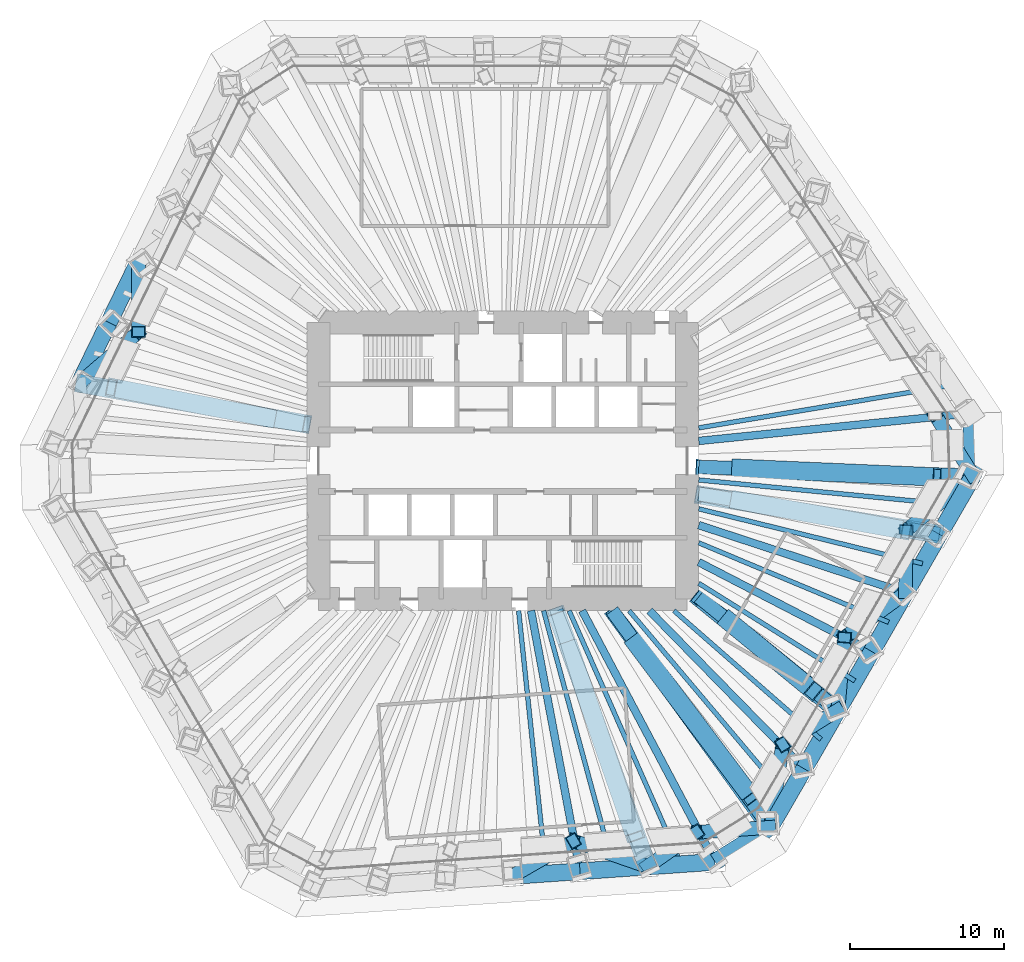
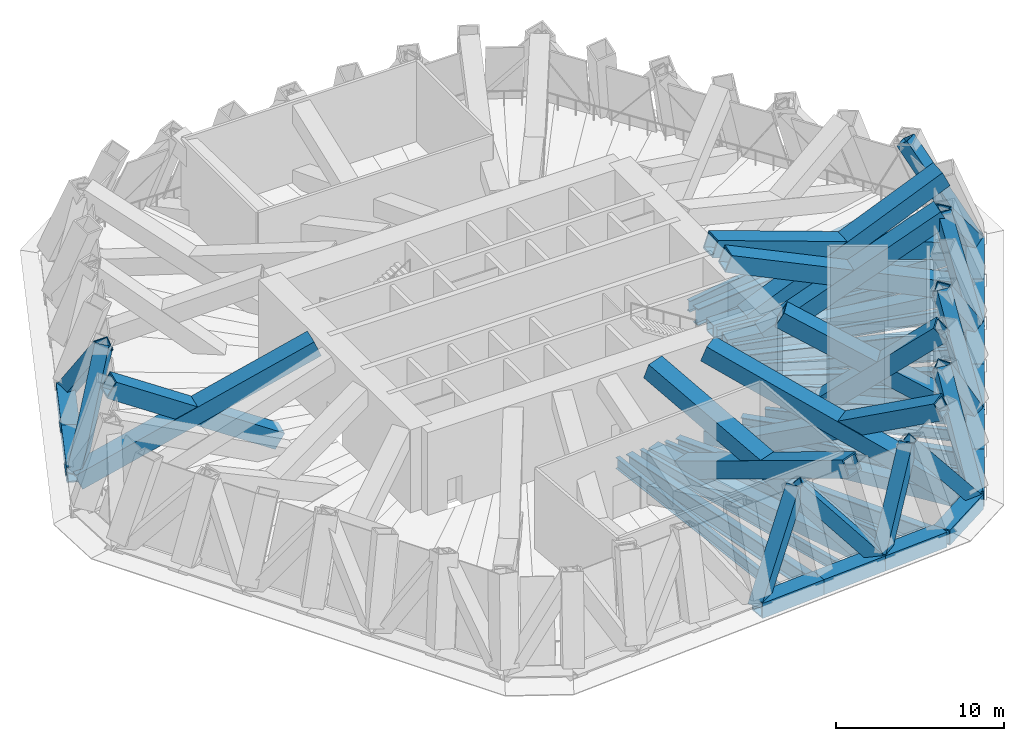
# One storey, part 3 of 12: 38 members, 21 beams.
"""IFC4 building model written with IfcOpenShell, lengths in metres."""

from ifc_helpers import new_model, si_unit, direction, frame, origin, origin_2d, place, context, subcontext, project, spatial, hollow_rectangle, i_section, extrude, material, material_profile, profile_set, type_object, element, save


model = new_model("IFC4")

# Units and contexts
model_context = context("Model", 3, precision=1e-05, world=origin(), true_north=direction((0.0, 1.0)))
body_context = subcontext(model_context, "Body", "Model", "MODEL_VIEW")
ifc_project = project(units=[si_unit("LENGTHUNIT", "METRE"), si_unit("AREAUNIT", "SQUARE_METRE"), si_unit("VOLUMEUNIT", "CUBIC_METRE"), si_unit("PLANEANGLEUNIT", "RADIAN"), si_unit("MASSUNIT", "GRAM", prefix="KILO")], contexts=[model_context])

# Site, building, storey
site_placement = place(None, origin())
site = spatial("IfcSite", under=ifc_project, at=site_placement, CompositionType="ELEMENT")
building_placement = place(site_placement, origin())
building = spatial("IfcBuilding", under=site, at=building_placement, Name="Qingtian Harvest Tower", CompositionType="ELEMENT")
storey_placement = place(building_placement, frame((0.0, 0.0, 97.0)))
storey = spatial("IfcBuildingStorey", under=building, at=storey_placement, Name="L19", CompositionType="ELEMENT", Elevation=97.0)

# Members
ifc_material_1 = material(Name="Steel SM570MC", Category="steel")
ifc_material_profile_1 = material_profile(ifc_material_1, hollow_rectangle(XDim=1.10009765625, YDim=1.10009765625, WallThickness=0.080078125, at=origin_2d()), Name="BOX1100x1100x80")
ifc_profile_set_1 = profile_set([ifc_material_profile_1], Name="Steel SM570MC")
member_type_1 = type_object("IfcMemberType", Name="Belt truss chord BC1 BOX1100x1100x80", PredefinedType="CHORD", material=ifc_profile_set_1)
member_1_placement = place(storey_placement, frame((30.476318359375, 3.100830078125, -0.550048828125), z_axis=(0.03490639867, -0.999390585973, 0.0), x_axis=(0.999390585973, 0.03490639867, 0.0)))
element("IfcMember", 1, at=member_1_placement, inside=storey, type_object=member_type_1, Name="Belt chord BC1 NEC", PredefinedType="CHORD", context=body_context, shape_type="SweptSolid", body=[
    extrude(hollow_rectangle(XDim=1.10009765625, YDim=1.10009765625, WallThickness=0.080078125, at=origin_2d()), origin(), (0.0, 0.0, 1.0), 4.070556640625),
])
member_2_placement = place(storey_placement, frame((30.618408203125, -0.96728515625, -0.550048828125), z_axis=(-0.50001992892, -0.866013897511, 0.0), x_axis=(0.866013897511, -0.50001992892, 0.0)))
element("IfcMember", 2, at=member_2_placement, inside=storey, type_object=member_type_1, Name="Belt chord BC1 SE0", PredefinedType="CHORD", context=body_context, shape_type="SweptSolid", body=[
    extrude(hollow_rectangle(XDim=1.10009765625, YDim=1.10009765625, WallThickness=0.080078125, at=origin_2d()), origin(), (0.0, 0.0, 1.0), 4.404541015625),
])
member_3_placement = place(storey_placement, frame((28.416015625, -4.78173828125, -0.550048828125), z_axis=(-0.499954356739, -0.86605175433, 0.0), x_axis=(0.86605175433, -0.499954356739, 0.0)))
element("IfcMember", 3, at=member_3_placement, inside=storey, type_object=member_type_1, Name="Belt chord BC1 SE1", PredefinedType="CHORD", context=body_context, shape_type="SweptSolid", body=[
    extrude(hollow_rectangle(XDim=1.10009765625, YDim=1.10009765625, WallThickness=0.080078125, at=origin_2d()), origin(), (0.0, 0.0, 1.0), 4.40478515625),
])
for number, where, z_axis, x_axis, name in (
    (4, (26.2138671875, -8.596435546875, -0.550048828125), (-0.50001992892, -0.866013897511, 0.0), (0.866013897511, -0.50001992892, 0.0), "Belt chord BC1 SE2"),
    (5, (24.011474609375, -12.410888671875, -0.550048828125), (-0.499978356969, -0.866037899034, 0.0), (0.866037899034, -0.499978356969, 0.0), "Belt chord BC1 SE3"),
    (6, (21.809326171875, -16.225341796875, -0.550048828125), (-0.50001992892, -0.866013897511, 0.0), (0.866013897511, -0.50001992892, 0.0), "Belt chord BC1 SE4"),
    (7, (19.60693359375, -20.039794921875, -0.550048828125), (-0.50001992892, -0.866013897511, 0.0), (0.866013897511, -0.50001992892, 0.0), "Belt chord BC1 SE5"),
):
    element("IfcMember", number, at=place(storey_placement, frame(where, z_axis=z_axis, x_axis=x_axis)), inside=storey, type_object=member_type_1, Name=name, PredefinedType="CHORD", context=body_context, shape_type="SweptSolid", body=[
        extrude(hollow_rectangle(XDim=1.10009765625, YDim=1.10009765625, WallThickness=0.080078125, at=origin_2d()), origin(), (0.0, 0.0, 1.0), 4.404541015625),
    ])
member_4_placement = place(storey_placement, frame((17.404541015625, -23.854248046875, -0.550048828125), z_axis=(-0.848040374245, -0.529931621675, 0.0), x_axis=(0.529931621675, -0.848040374245, 0.0)))
element("IfcMember", 8, at=member_4_placement, inside=storey, type_object=member_type_1, Name="Belt chord BC1 SEC", PredefinedType="CHORD", context=body_context, shape_type="SweptSolid", body=[
    extrude(hollow_rectangle(XDim=1.10009765625, YDim=1.10009765625, WallThickness=0.080078125, at=origin_2d()), origin(), (0.0, 0.0, 1.0), 4.238037109375),
])
member_5_placement = place(storey_placement, frame((13.810546875, -26.10009765625, -0.550048828125), z_axis=(-0.997562286406, -0.069781693443, 0.0), x_axis=(0.069781693443, -0.997562286406, 0.0)))
element("IfcMember", 9, at=member_5_placement, inside=storey, type_object=member_type_1, Name="Belt chord BC1 S0", PredefinedType="CHORD", context=body_context, shape_type="SweptSolid", body=[
    extrude(hollow_rectangle(XDim=1.10009765625, YDim=1.10009765625, WallThickness=0.080078125, at=origin_2d()), origin(), (0.0, 0.0, 1.0), 4.40478515625),
])
for number, where, z_axis, x_axis, name in (
    (10, (9.41650390625, -26.407470703125, -0.550048828125), (-0.997565873714, -0.069730392239, 0.0), (0.069730392239, -0.997565873714, 0.0), "Belt chord BC1 S1"),
    (11, (5.022705078125, -26.714599609375, -0.550048828125), (-0.997562016486, -0.069785551967, 0.0), (0.069785551967, -0.997562016486, 0.0), "Belt chord BC1 S2"),
    (12, (-27.577880859375, 5.048828125, -0.550048828125), (0.438389777529, 0.898784959241, 0.0), (-0.898784959241, 0.438389777529, 0.0), "Belt chord BC1 NW1"),
    (13, (-25.64697265625, 9.007568359375, -0.550048828125), (0.438389777529, 0.898784959241, 0.0), (-0.898784959241, 0.438389777529, 0.0), "Belt chord BC1 NW2"),
):
    element("IfcMember", number, at=place(storey_placement, frame(where, z_axis=z_axis, x_axis=x_axis)), inside=storey, type_object=member_type_1, Name=name, PredefinedType="CHORD", context=body_context, shape_type="SweptSolid", body=[
        extrude(hollow_rectangle(XDim=1.10009765625, YDim=1.10009765625, WallThickness=0.080078125, at=origin_2d()), origin(), (0.0, 0.0, 1.0), 4.404541015625),
    ])
ifc_material_2 = material(Name="Steel SM570MC", Category="steel")
ifc_material_profile_2 = material_profile(ifc_material_2, hollow_rectangle(XDim=0.89990234375, YDim=0.89990234375, WallThickness=0.06005859375, at=origin_2d()), Name="BOX900x900x60")
ifc_profile_set_2 = profile_set([ifc_material_profile_2], Name="Steel SM570MC")
member_type_2 = type_object("IfcMemberType", Name="Belt truss diagonal BD1 BOX900x900x60", PredefinedType="BRACE", material=ifc_profile_set_2)
member_6_placement = place(storey_placement, frame((28.119384765625, 3.0185546875, 5.449951171875), z_axis=(0.327764985671, -0.522771703406, -0.786943365362), x_axis=(0.847245257372, 0.531201914398, 0.0)))
element("IfcMember", 14, at=member_6_placement, inside=storey, type_object=member_type_2, Name="Belt truss diagonal BD1 L19 NE6", PredefinedType="BRACE", context=body_context, shape_type="SweptSolid", body=[
    extrude(hollow_rectangle(XDim=0.89990234375, YDim=0.89990234375, WallThickness=0.06005859375, at=origin_2d()), origin(), (0.0, 0.0, 1.0), 7.62451171875),
])
member_7_placement = place(storey_placement, frame((30.618408203125, -0.96728515625, -0.550048828125), z_axis=(-0.530444175046, -0.43283770146, 0.728889910312), x_axis=(0.632220497031, -0.774788515102, 0.0)))
element("IfcMember", 15, at=member_7_placement, inside=storey, type_object=member_type_2, Name="Belt truss diagonal BD1 L19 SE0", PredefinedType="BRACE", context=body_context, shape_type="SweptSolid", body=[
    extrude(hollow_rectangle(XDim=0.89990234375, YDim=0.89990234375, WallThickness=0.06005859375, at=origin_2d()), origin(), (0.0, 0.0, 1.0), 8.231689453125),
])
member_8_placement = place(storey_placement, frame((26.251953125, -4.5302734375, 5.449951171875), z_axis=(-0.005254601266, -0.560996051782, -0.827801799376), x_axis=(0.999956136695, -0.009366145741, 0.0)))
element("IfcMember", 16, at=member_8_placement, inside=storey, type_object=member_type_2, Name="Belt truss diagonal BD1 L19 SE1", PredefinedType="BRACE", context=body_context, shape_type="SweptSolid", body=[
    extrude(hollow_rectangle(XDim=0.89990234375, YDim=0.89990234375, WallThickness=0.06005859375, at=origin_2d()), origin(), (0.0, 0.0, 1.0), 7.248046875),
])
member_9_placement = place(storey_placement, frame((26.2138671875, -8.596435546875, -0.550048828125), z_axis=(-0.512960705321, -0.373033732595, 0.773121691031), x_axis=(0.588142206124, -0.808757531882, 0.0)))
element("IfcMember", 17, at=member_9_placement, inside=storey, type_object=member_type_2, Name="Belt truss diagonal BD1 L19 SE2", PredefinedType="BRACE", context=body_context, shape_type="SweptSolid", body=[
    extrude(hollow_rectangle(XDim=0.89990234375, YDim=0.89990234375, WallThickness=0.06005859375, at=origin_2d()), origin(), (0.0, 0.0, 1.0), 7.7607421875),
])
member_10_placement = place(storey_placement, frame((22.23291015625, -11.491455078125, 5.449951171875), z_axis=(-0.055338972652, -0.61845687592, -0.783867776308), x_axis=(0.996020623984, -0.089123041909, 0.0)))
element("IfcMember", 18, at=member_10_placement, inside=storey, type_object=member_type_2, Name="Belt truss diagonal BD1 L19 SE3", PredefinedType="BRACE", context=body_context, shape_type="SweptSolid", body=[
    extrude(hollow_rectangle(XDim=0.89990234375, YDim=0.89990234375, WallThickness=0.06005859375, at=origin_2d()), origin(), (0.0, 0.0, 1.0), 7.654296875),
])
member_11_placement = place(storey_placement, frame((21.809326171875, -16.225341796875, -0.550048828125), z_axis=(-0.489782480835, -0.303440982898, 0.817335115706), x_axis=(0.526658616825, -0.850076879655, 0.0)))
element("IfcMember", 19, at=member_11_placement, inside=storey, type_object=member_type_2, Name="Belt truss diagonal BD1 L19 SE4", PredefinedType="BRACE", context=body_context, shape_type="SweptSolid", body=[
    extrude(hollow_rectangle(XDim=0.89990234375, YDim=0.89990234375, WallThickness=0.06005859375, at=origin_2d()), origin(), (0.0, 0.0, 1.0), 7.3408203125),
])
member_12_placement = place(storey_placement, frame((18.2138671875, -18.452880859375, 5.449951171875), z_axis=(-0.099749883003, -0.665721391117, -0.73950320503), x_axis=(0.988959947601, -0.14818306935, 0.0)))
element("IfcMember", 20, at=member_12_placement, inside=storey, type_object=member_type_2, Name="Belt truss diagonal BD1 L19 SE5", PredefinedType="BRACE", context=body_context, shape_type="SweptSolid", body=[
    extrude(hollow_rectangle(XDim=0.89990234375, YDim=0.89990234375, WallThickness=0.06005859375, at=origin_2d()), origin(), (0.0, 0.0, 1.0), 8.113525390625),
])
member_13_placement = place(storey_placement, frame((17.404541015625, -23.854248046875, -0.550048828125), z_axis=(-0.62369502076, -0.042272027326, 0.780523924544), x_axis=(0.067621620953, -0.997711038518, 0.0)))
element("IfcMember", 21, at=member_13_placement, inside=storey, type_object=member_type_2, Name="Belt truss diagonal BD1 L19 SE6", PredefinedType="BRACE", context=body_context, shape_type="SweptSolid", body=[
    extrude(hollow_rectangle(XDim=0.89990234375, YDim=0.89990234375, WallThickness=0.06005859375, at=origin_2d()), origin(), (0.0, 0.0, 1.0), 7.687255859375),
])
member_14_placement = place(storey_placement, frame((12.610107421875, -24.17919921875, 5.449951171875), z_axis=(-0.446475354846, -0.31151904011, -0.838818004793), x_axis=(0.572211996382, -0.820105743911, 0.0)))
element("IfcMember", 22, at=member_14_placement, inside=storey, type_object=member_type_2, Name="Belt truss diagonal BD1 L19 S0", PredefinedType="BRACE", context=body_context, shape_type="SweptSolid", body=[
    extrude(hollow_rectangle(XDim=0.89990234375, YDim=0.89990234375, WallThickness=0.06005859375, at=origin_2d()), origin(), (0.0, 0.0, 1.0), 7.15283203125),
])
member_15_placement = place(storey_placement, frame((9.41650390625, -26.407470703125, -0.550048828125), z_axis=(-0.612469942927, 0.211666736335, 0.761628361958), x_axis=(-0.326639104446, -0.945149139262, 0.0)))
element("IfcMember", 23, at=member_15_placement, inside=storey, type_object=member_type_2, Name="Belt truss diagonal BD1 L19 S1", PredefinedType="BRACE", context=body_context, shape_type="SweptSolid", body=[
    extrude(hollow_rectangle(XDim=0.89990234375, YDim=0.89990234375, WallThickness=0.06005859375, at=origin_2d()), origin(), (0.0, 0.0, 1.0), 7.8779296875),
])
member_16_placement = place(storey_placement, frame((4.591552734375, -24.739990234375, 5.449951171875), z_axis=(-0.525280157082, -0.302494832619, -0.795347491864), x_axis=(0.499039778633, -0.866579078528, 0.0)))
element("IfcMember", 24, at=member_16_placement, inside=storey, type_object=member_type_2, Name="Belt truss diagonal BD1 L19 S2", PredefinedType="BRACE", context=body_context, shape_type="SweptSolid", body=[
    extrude(hollow_rectangle(XDim=0.89990234375, YDim=0.89990234375, WallThickness=0.06005859375, at=origin_2d()), origin(), (0.0, 0.0, 1.0), 7.5439453125),
])
member_17_placement = place(storey_placement, frame((-27.577880859375, 5.048828125, -0.550048828125), z_axis=(0.489558294632, 0.424571034782, 0.761624653344), x_axis=(-0.655183578456, 0.755469707217, 0.0)))
element("IfcMember", 25, at=member_17_placement, inside=storey, type_object=member_type_2, Name="Belt truss diagonal BD1 L19 NW1", PredefinedType="BRACE", context=body_context, shape_type="SweptSolid", body=[
    extrude(hollow_rectangle(XDim=0.89990234375, YDim=0.89990234375, WallThickness=0.06005859375, at=origin_2d()), origin(), (0.0, 0.0, 1.0), 7.8779296875),
])
member_18_placement = place(storey_placement, frame((-23.72119140625, 8.3935546875, 5.449951171875), z_axis=(0.000679617659, 0.606154226363, -0.795346837538), x_axis=(-0.99999937146, 0.001121195238, 0.0)))
element("IfcMember", 26, at=member_18_placement, inside=storey, type_object=member_type_2, Name="Belt truss diagonal BD1 L19 NW2", PredefinedType="BRACE", context=body_context, shape_type="SweptSolid", body=[
    extrude(hollow_rectangle(XDim=0.89990234375, YDim=0.89990234375, WallThickness=0.06005859375, at=origin_2d()), origin(), (0.0, 0.0, 1.0), 7.5439453125),
])

# Beams
ifc_material_3 = material(Name="Steel SN490B", Category="steel")
ifc_material_profile_3 = material_profile(ifc_material_3, i_section(OverallWidth=0.300048828125, OverallDepth=0.800048828125, WebThickness=0.013916015625, FlangeThickness=0.02587890625, at=origin_2d()), Name="H800x300x14x26")
ifc_profile_set_3 = profile_set([ifc_material_profile_3], Name="Steel SN490B")
beam_type_1 = type_object("IfcBeamType", Name="Floor joist J1 H800x300x14x26", PredefinedType="JOIST", material=ifc_profile_set_3)
beam_1_placement = place(storey_placement, frame((29.244873046875, 4.926513671875, -0.679931640625), z_axis=(-0.986107238024, -0.166109948877, 0.0), x_axis=(0.166109948877, -0.986107238024, 0.0)))
element("IfcBeam", 27, at=beam_1_placement, inside=storey, type_object=beam_type_1, Name="Floor joist J1 NE5", PredefinedType="JOIST", context=body_context, shape_type="SweptSolid", body=[
    extrude(i_section(OverallWidth=0.300048828125, OverallDepth=0.800048828125, WebThickness=0.013916015625, FlangeThickness=0.02587890625, at=origin_2d()), origin(), (0.0, 0.0, 1.0), 16.727294921875),
])
beam_2_placement = place(storey_placement, frame((29.517333984375, -2.87451171875, -0.679931640625), z_axis=(-0.995291970786, 0.096922097011, 0.0), x_axis=(-0.096922097011, -0.995291970786, 0.0)))
element("IfcBeam", 28, at=beam_2_placement, inside=storey, type_object=beam_type_1, Name="Floor joist J1 SE0", PredefinedType="JOIST", context=body_context, shape_type="SweptSolid", body=[
    extrude(i_section(OverallWidth=0.300048828125, OverallDepth=0.800048828125, WebThickness=0.013916015625, FlangeThickness=0.02587890625, at=origin_2d()), origin(), (0.0, 0.0, 1.0), 16.8466796875),
])
beam_3_placement = place(storey_placement, frame((27.31494140625, -6.68896484375, -0.679931640625), z_axis=(-0.971301533706, 0.237851488583, 0.0), x_axis=(-0.237851488583, -0.971301533706, 0.0)))
element("IfcBeam", 29, at=beam_3_placement, inside=storey, type_object=beam_type_1, Name="Floor joist J1 SE1", PredefinedType="JOIST", context=body_context, shape_type="SweptSolid", body=[
    extrude(i_section(OverallWidth=0.300048828125, OverallDepth=0.800048828125, WebThickness=0.013916015625, FlangeThickness=0.02587890625, at=origin_2d()), origin(), (0.0, 0.0, 1.0), 14.995361328125),
])
beam_4_placement = place(storey_placement, frame((25.112548828125, -10.503662109375, -0.679931640625), z_axis=(-0.922550516103, 0.385876334125, 0.0), x_axis=(-0.385876334125, -0.922550516103, 0.0)))
element("IfcBeam", 30, at=beam_4_placement, inside=storey, type_object=beam_type_1, Name="Floor joist J1 SE2", PredefinedType="JOIST", context=body_context, shape_type="SweptSolid", body=[
    extrude(i_section(OverallWidth=0.300048828125, OverallDepth=0.800048828125, WebThickness=0.013916015625, FlangeThickness=0.02587890625, at=origin_2d()), origin(), (0.0, 0.0, 1.0), 13.400390625),
])
beam_5_placement = place(storey_placement, frame((22.910400390625, -14.318115234375, -0.679931640625), z_axis=(-0.848013185461, 0.52997512893, 0.0), x_axis=(-0.52997512893, -0.848013185461, 0.0)))
element("IfcBeam", 31, at=beam_5_placement, inside=storey, type_object=beam_type_1, Name="Floor joist J1 SE3", PredefinedType="JOIST", context=body_context, shape_type="SweptSolid", body=[
    extrude(i_section(OverallWidth=0.300048828125, OverallDepth=0.800048828125, WebThickness=0.013916015625, FlangeThickness=0.02587890625, at=origin_2d()), origin(), (0.0, 0.0, 1.0), 11.9814453125),
])
beam_6_placement = place(storey_placement, frame((20.7080078125, -18.132568359375, -0.679931640625), z_axis=(-0.75234369212, 0.658770801514, 0.0), x_axis=(-0.658770801514, -0.75234369212, 0.0)))
element("IfcBeam", 32, at=beam_6_placement, inside=storey, type_object=beam_type_1, Name="Floor joist J1 SE4", PredefinedType="JOIST", context=body_context, shape_type="SweptSolid", body=[
    extrude(i_section(OverallWidth=0.300048828125, OverallDepth=0.800048828125, WebThickness=0.013916015625, FlangeThickness=0.02587890625, at=origin_2d()), origin(), (0.0, 0.0, 1.0), 12.724609375),
])
beam_7_placement = place(storey_placement, frame((18.505859375, -21.947021484375, -0.679931640625), z_axis=(-0.644630398038, 0.76449437534, 0.0), x_axis=(-0.76449437534, -0.644630398038, 0.0)))
element("IfcBeam", 33, at=beam_7_placement, inside=storey, type_object=beam_type_1, Name="Floor joist J1 SE5", PredefinedType="JOIST", context=body_context, shape_type="SweptSolid", body=[
    extrude(i_section(OverallWidth=0.300048828125, OverallDepth=0.800048828125, WebThickness=0.013916015625, FlangeThickness=0.02587890625, at=origin_2d()), origin(), (0.0, 0.0, 1.0), 15.954345703125),
])
beam_8_placement = place(storey_placement, frame((11.613525390625, -26.25390625, -0.679931640625), z_axis=(-0.404539958959, 0.914520323233, 0.0), x_axis=(-0.914520323233, -0.404539958959, 0.0)))
element("IfcBeam", 34, at=beam_8_placement, inside=storey, type_object=beam_type_1, Name="Floor joist J1 S0", PredefinedType="JOIST", context=body_context, shape_type="SweptSolid", body=[
    extrude(i_section(OverallWidth=0.300048828125, OverallDepth=0.800048828125, WebThickness=0.013916015625, FlangeThickness=0.02587890625, at=origin_2d()), origin(), (0.0, 0.0, 1.0), 18.046630859375),
])
beam_9_placement = place(storey_placement, frame((7.2197265625, -26.56103515625, -0.679931640625), z_axis=(-0.262302659247, 0.964985655309, 0.0), x_axis=(-0.964985655309, -0.262302659247, 0.0)))
element("IfcBeam", 35, at=beam_9_placement, inside=storey, type_object=beam_type_1, Name="Floor joist J1 S1", PredefinedType="JOIST", context=body_context, shape_type="SweptSolid", body=[
    extrude(i_section(OverallWidth=0.300048828125, OverallDepth=0.800048828125, WebThickness=0.013916015625, FlangeThickness=0.02587890625, at=origin_2d()), origin(), (0.0, 0.0, 1.0), 17.421142578125),
])
beam_10_placement = place(storey_placement, frame((2.82568359375, -26.868408203125, -0.679931640625), z_axis=(-0.104590278152, 0.99451539642, 0.0), x_axis=(-0.99451539642, -0.104590278152, 0.0)))
element("IfcBeam", 36, at=beam_10_placement, inside=storey, type_object=beam_type_1, Name="Floor joist J1 S2", PredefinedType="JOIST", context=body_context, shape_type="SweptSolid", body=[
    extrude(i_section(OverallWidth=0.300048828125, OverallDepth=0.800048828125, WebThickness=0.013916015625, FlangeThickness=0.02587890625, at=origin_2d()), origin(), (0.0, 0.0, 1.0), 17.212890625),
])
ifc_material_4 = material(Name="Steel SM570MC", Category="steel")
ifc_material_profile_4 = material_profile(ifc_material_4, hollow_rectangle(XDim=0.89990234375, YDim=0.89990234375, WallThickness=0.06005859375, at=origin_2d()), Name="BOX900x900x60")
ifc_profile_set_4 = profile_set([ifc_material_profile_4], Name="Steel SM570MC")
beam_type_2 = type_object("IfcBeamType", Name="Outrigger chord beam OC1 BOX900x900x60", PredefinedType="BEAM", material=ifc_profile_set_4)
beam_11_placement = place(storey_placement, frame((30.618408203125, -0.96728515625, -0.72998046875), z_axis=(-0.999501426546, 0.031573696842, 0.0), x_axis=(-0.031573696842, -0.999501426546, 0.0)))
element("IfcBeam", 37, at=beam_11_placement, inside=storey, type_object=beam_type_2, Name="Floor beam OC1 SE0", PredefinedType="BEAM", context=body_context, shape_type="SweptSolid", body=[
    extrude(hollow_rectangle(XDim=0.89990234375, YDim=0.89990234375, WallThickness=0.06005859375, at=origin_2d()), origin(), (0.0, 0.0, 1.0), 17.87744140625),
])
beam_12_placement = place(storey_placement, frame((28.416015625, -4.78173828125, -0.72998046875), z_axis=(-0.986135195489, 0.16594389479, 0.0), x_axis=(-0.16594389479, -0.986135195489, 0.0)))
element("IfcBeam", 38, at=beam_12_placement, inside=storey, type_object=beam_type_2, Name="Floor beam OC1 SE1", PredefinedType="BEAM", context=body_context, shape_type="SweptSolid", body=[
    extrude(hollow_rectangle(XDim=0.89990234375, YDim=0.89990234375, WallThickness=0.06005859375, at=origin_2d()), origin(), (0.0, 0.0, 1.0), 15.88623046875),
])
beam_13_placement = place(storey_placement, frame((21.809326171875, -16.225341796875, -0.72998046875), z_axis=(-0.775504415669, 0.631342142802, 0.0), x_axis=(-0.631342142802, -0.775504415669, 0.0)))
element("IfcBeam", 39, at=beam_13_placement, inside=storey, type_object=beam_type_2, Name="Floor beam OC1 SE4", PredefinedType="BEAM", context=body_context, shape_type="SweptSolid", body=[
    extrude(hollow_rectangle(XDim=0.89990234375, YDim=0.89990234375, WallThickness=0.06005859375, at=origin_2d()), origin(), (0.0, 0.0, 1.0), 11.681884765625),
])
beam_14_placement = place(storey_placement, frame((17.404541015625, -23.854248046875, -0.72998046875), z_axis=(-0.58941234871, 0.807832336062, 0.0), x_axis=(-0.807832336062, -0.58941234871, 0.0)))
element("IfcBeam", 40, at=beam_14_placement, inside=storey, type_object=beam_type_2, Name="Floor beam OC1 SE6", PredefinedType="BEAM", context=body_context, shape_type="SweptSolid", body=[
    extrude(hollow_rectangle(XDim=0.89990234375, YDim=0.89990234375, WallThickness=0.06005859375, at=origin_2d()), origin(), (0.0, 0.0, 1.0), 17.45947265625),
])
beam_15_placement = place(storey_placement, frame((9.41650390625, -26.407470703125, -0.72998046875), z_axis=(-0.33586498155, 0.941910141239, 0.0), x_axis=(-0.941910141239, -0.33586498155, 0.0)))
element("IfcBeam", 41, at=beam_15_placement, inside=storey, type_object=beam_type_2, Name="Floor beam OC1 S1", PredefinedType="BEAM", context=body_context, shape_type="SweptSolid", body=[
    extrude(hollow_rectangle(XDim=0.89990234375, YDim=0.89990234375, WallThickness=0.06005859375, at=origin_2d()), origin(), (0.0, 0.0, 1.0), 17.684814453125),
])

# Members
ifc_material_5 = material(Name="Steel SM570MC", Category="steel")
ifc_material_profile_5 = material_profile(ifc_material_5, hollow_rectangle(XDim=1.199951171875, YDim=1.199951171875, WallThickness=0.10009765625, at=origin_2d()), Name="BOX1200x1200x100")
ifc_profile_set_5 = profile_set([ifc_material_profile_5], Name="Steel SM570MC")
member_type_3 = type_object("IfcMemberType", Name="Outrigger diagonal OT1 BOX1200x1200x100", PredefinedType="BRACE", material=ifc_profile_set_5)
member_19_placement = place(storey_placement, frame((9.41650390625, -26.407470703125, -0.72998046875), z_axis=(-0.319773442194, 0.88954304185, 0.326279209212), x_axis=(-0.941043092483, -0.338286709893, 0.0)))
element("IfcMember", 42, at=member_19_placement, inside=storey, type_object=member_type_3, Name="Outrigger diagonal OT1 L19 S1-1", PredefinedType="BRACE", context=body_context, shape_type="SweptSolid", body=[
    extrude(hollow_rectangle(XDim=1.199951171875, YDim=1.199951171875, WallThickness=0.10009765625, at=origin_2d()), origin(), (0.0, 0.0, 1.0), 18.725830078125),
])
member_20_placement = place(storey_placement, frame((4.28271484375, -12.010498046875, -0.72998046875), z_axis=(0.297299778289, -0.857121631396, 0.420660612397), x_axis=(0.944780144873, 0.327704863947, 0.0)))
element("IfcMember", 43, at=member_20_placement, inside=storey, type_object=member_type_3, Name="Outrigger diagonal OT1 L19 S1-2", PredefinedType="BRACE", context=body_context, shape_type="SweptSolid", body=[
    extrude(hollow_rectangle(XDim=1.199951171875, YDim=1.199951171875, WallThickness=0.10009765625, at=origin_2d()), origin(), (0.0, 0.0, 1.0), 14.5244140625),
])
member_21_placement = place(storey_placement, frame((28.416015625, -4.78173828125, -0.72998046875), z_axis=(-0.920863282796, 0.15174554844, 0.359143568683), x_axis=(-0.162593402306, -0.986693156724, 0.0)))
element("IfcMember", 44, at=member_21_placement, inside=storey, type_object=member_type_3, Name="Outrigger diagonal OT1 L19 SE1-1", PredefinedType="BRACE", context=body_context, shape_type="SweptSolid", body=[
    extrude(hollow_rectangle(XDim=1.199951171875, YDim=1.199951171875, WallThickness=0.10009765625, at=origin_2d()), origin(), (0.0, 0.0, 1.0), 17.01220703125),
])
member_22_placement = place(storey_placement, frame((15.11669921875, -2.5439453125, -0.72998046875), z_axis=(0.866170448441, -0.154509159582, 0.475263793964), x_axis=(0.175609850347, 0.984459841975, 0.0)))
element("IfcMember", 45, at=member_22_placement, inside=storey, type_object=member_type_3, Name="Outrigger diagonal OT1 L19 SE1-2", PredefinedType="BRACE", context=body_context, shape_type="SweptSolid", body=[
    extrude(hollow_rectangle(XDim=1.199951171875, YDim=1.199951171875, WallThickness=0.10009765625, at=origin_2d()), origin(), (0.0, 0.0, 1.0), 12.855712890625),
])
member_23_placement = place(storey_placement, frame((-27.577880859375, 5.048828125, -0.72998046875), z_axis=(0.912155249935, -0.163417490319, 0.375855722151), x_axis=(0.176347615917, 0.984327952646, 0.0)))
element("IfcMember", 46, at=member_23_placement, inside=storey, type_object=member_type_3, Name="Outrigger diagonal OT1 L19 NW1-1", PredefinedType="BRACE", context=body_context, shape_type="SweptSolid", body=[
    extrude(hollow_rectangle(XDim=1.199951171875, YDim=1.199951171875, WallThickness=0.10009765625, at=origin_2d()), origin(), (0.0, 0.0, 1.0), 16.255859375),
])
member_24_placement = place(storey_placement, frame((-15.11083984375, 2.766357421875, -0.72998046875), z_axis=(-0.849804037679, 0.165080210026, 0.500581283911), x_axis=(-0.190692162213, -0.981649886299, 0.0)))
element("IfcMember", 47, at=member_24_placement, inside=storey, type_object=member_type_3, Name="Outrigger diagonal OT1 L19 NW1-2", PredefinedType="BRACE", context=body_context, shape_type="SweptSolid", body=[
    extrude(hollow_rectangle(XDim=1.199951171875, YDim=1.199951171875, WallThickness=0.10009765625, at=origin_2d()), origin(), (0.0, 0.0, 1.0), 12.20556640625),
])
member_25_placement = place(storey_placement, frame((21.809326171875, -16.225341796875, -0.72998046875), z_axis=(-0.687188606385, 0.559443787164, 0.463459241205), x_axis=(-0.631342142802, -0.775504415669, 0.0)))
element("IfcMember", 48, at=member_25_placement, inside=storey, type_object=member_type_3, Name="Outrigger diagonal OT1 L19 SE4-1", PredefinedType="BRACE", context=body_context, shape_type="SweptSolid", body=[
    extrude(hollow_rectangle(XDim=1.199951171875, YDim=1.199951171875, WallThickness=0.10009765625, at=origin_2d()), origin(), (0.0, 0.0, 1.0), 13.18310546875),
])
member_26_placement = place(storey_placement, frame((14.611083984375, -10.365234375, -0.72998046875), z_axis=(0.59141727198, -0.485472591016, 0.643849340899), x_axis=(0.634478387685, 0.772940602867, 0.0)))
element("IfcMember", 49, at=member_26_placement, inside=storey, type_object=member_type_3, Name="Outrigger diagonal OT1 L19 SE4-2", PredefinedType="BRACE", context=body_context, shape_type="SweptSolid", body=[
    extrude(hollow_rectangle(XDim=1.199951171875, YDim=1.199951171875, WallThickness=0.10009765625, at=origin_2d()), origin(), (0.0, 0.0, 1.0), 9.489501953125),
])
member_27_placement = place(storey_placement, frame((17.404541015625, -23.854248046875, -0.72998046875), z_axis=(-0.552972686955, 0.764545881153, 0.33119601914), x_axis=(-0.810276275458, -0.586048084571, 0.0)))
element("IfcMember", 50, at=member_27_placement, inside=storey, type_object=member_type_3, Name="Outrigger diagonal OT1 L19 SE6-1", PredefinedType="BRACE", context=body_context, shape_type="SweptSolid", body=[
    extrude(hollow_rectangle(XDim=1.199951171875, YDim=1.199951171875, WallThickness=0.10009765625, at=origin_2d()), origin(), (0.0, 0.0, 1.0), 18.447998046875),
])
member_28_placement = place(storey_placement, frame((8.5283203125, -11.688720703125, -0.72998046875), z_axis=(0.541150250386, -0.722233606015, 0.430737768079), x_axis=(0.800279120434, 0.599627658967, 0.0)))
element("IfcMember", 51, at=member_28_placement, inside=storey, type_object=member_type_3, Name="Outrigger diagonal OT1 L19 SE6-2", PredefinedType="BRACE", context=body_context, shape_type="SweptSolid", body=[
    extrude(hollow_rectangle(XDim=1.199951171875, YDim=1.199951171875, WallThickness=0.10009765625, at=origin_2d()), origin(), (0.0, 0.0, 1.0), 14.1845703125),
])
member_29_placement = place(storey_placement, frame((30.618408203125, -0.96728515625, -0.72998046875), z_axis=(-0.945889706697, 0.026132191818, 0.323434338491), x_axis=(-0.027616565178, -0.999618589927, 0.0)))
element("IfcMember", 52, at=member_29_placement, inside=storey, type_object=member_type_3, Name="Outrigger diagonal OT1 L19 SE0-1", PredefinedType="BRACE", context=body_context, shape_type="SweptSolid", body=[
    extrude(hollow_rectangle(XDim=1.199951171875, YDim=1.199951171875, WallThickness=0.10009765625, at=origin_2d()), origin(), (0.0, 0.0, 1.0), 18.890625),
])
member_30_placement = place(storey_placement, frame((15.148681640625, -0.478515625, -0.72998046875), z_axis=(0.905727673205, -0.039443251306, 0.422020866685), x_axis=(0.043507451254, 0.999053102535, 0.0)))
element("IfcMember", 53, at=member_30_placement, inside=storey, type_object=member_type_3, Name="Outrigger diagonal OT1 L19 SE0-2", PredefinedType="BRACE", context=body_context, shape_type="SweptSolid", body=[
    extrude(hollow_rectangle(XDim=1.199951171875, YDim=1.199951171875, WallThickness=0.10009765625, at=origin_2d()), origin(), (0.0, 0.0, 1.0), 14.4775390625),
])

# Beams
ifc_material_6 = material(Name="Steel SM570MC", Category="steel")
ifc_material_profile_6 = material_profile(ifc_material_6, i_section(OverallWidth=0.5, OverallDepth=1.199951171875, WebThickness=0.02490234375, FlangeThickness=0.050048828125, at=origin_2d()), Name="H1200x500x25x50")
ifc_profile_set_6 = profile_set([ifc_material_profile_6], Name="Steel SM570MC")
beam_type_3 = type_object("IfcBeamType", Name="Plant corner beam FB10 H1200x500x25x50", PredefinedType="BEAM", material=ifc_profile_set_6)
beam_16_placement = place(storey_placement, frame((30.476318359375, 3.100830078125, -0.8798828125), z_axis=(-0.994864371567, -0.101217005423, 0.0), x_axis=(0.101217005423, -0.994864371567, 0.0)))
element("IfcBeam", 54, at=beam_16_placement, inside=storey, type_object=beam_type_3, Name="Floor beam FB10 NE6", PredefinedType="BEAM", context=body_context, shape_type="SweptSolid", body=[
    extrude(i_section(OverallWidth=0.5, OverallDepth=1.199951171875, WebThickness=0.02490234375, FlangeThickness=0.050048828125, at=origin_2d()), origin(), (0.0, 0.0, 1.0), 17.81787109375),
])
beam_17_placement = place(storey_placement, frame((13.810546875, -26.10009765625, -0.8798828125), z_axis=(-0.467705182679, 0.883884529843, 0.0), x_axis=(-0.883884529843, -0.467705182679, 0.0)))
element("IfcBeam", 55, at=beam_17_placement, inside=storey, type_object=beam_type_3, Name="Floor beam FB10 S0", PredefinedType="BEAM", context=body_context, shape_type="SweptSolid", body=[
    extrude(i_section(OverallWidth=0.5, OverallDepth=1.199951171875, WebThickness=0.02490234375, FlangeThickness=0.050048828125, at=origin_2d()), origin(), (0.0, 0.0, 1.0), 18.498046875),
])
ifc_material_7 = material(Name="Steel SM570MC", Category="steel")
ifc_material_profile_7 = material_profile(ifc_material_7, i_section(OverallWidth=0.5, OverallDepth=1.199951171875, WebThickness=0.02490234375, FlangeThickness=0.050048828125, at=origin_2d()), Name="H1200x500x25x50")
ifc_profile_set_7 = profile_set([ifc_material_profile_7], Name="Steel SM570MC")
beam_type_4 = type_object("IfcBeamType", Name="Plant floor beam FB7 H1200x500x25x50", PredefinedType="BEAM", material=ifc_profile_set_7)
beam_18_placement = place(storey_placement, frame((26.2138671875, -8.596435546875, -0.8798828125), z_axis=(-0.950210724421, 0.311608053803, 0.0), x_axis=(-0.311608053803, -0.950210724421, 0.0)))
element("IfcBeam", 56, at=beam_18_placement, inside=storey, type_object=beam_type_4, Name="Floor beam FB7 SE2", PredefinedType="BEAM", context=body_context, shape_type="SweptSolid", body=[
    extrude(i_section(OverallWidth=0.5, OverallDepth=1.199951171875, WebThickness=0.02490234375, FlangeThickness=0.050048828125, at=origin_2d()), origin(), (0.0, 0.0, 1.0), 14.16943359375),
])
beam_19_placement = place(storey_placement, frame((24.011474609375, -12.410888671875, -0.8798828125), z_axis=(-0.888349581519, 0.45916774823, 0.0), x_axis=(-0.45916774823, -0.888349581519, 0.0)))
element("IfcBeam", 57, at=beam_19_placement, inside=storey, type_object=beam_type_4, Name="Floor beam FB7 SE3", PredefinedType="BEAM", context=body_context, shape_type="SweptSolid", body=[
    extrude(i_section(OverallWidth=0.5, OverallDepth=1.199951171875, WebThickness=0.02490234375, FlangeThickness=0.050048828125, at=origin_2d()), origin(), (0.0, 0.0, 1.0), 12.6767578125),
])
beam_20_placement = place(storey_placement, frame((19.60693359375, -20.039794921875, -0.8798828125), z_axis=(-0.699348221539, 0.714781130858, 0.0), x_axis=(-0.714781130858, -0.699348221539, 0.0)))
element("IfcBeam", 58, at=beam_20_placement, inside=storey, type_object=beam_type_4, Name="Floor beam FB7 SE5", PredefinedType="BEAM", context=body_context, shape_type="SweptSolid", body=[
    extrude(i_section(OverallWidth=0.5, OverallDepth=1.199951171875, WebThickness=0.02490234375, FlangeThickness=0.050048828125, at=origin_2d()), origin(), (0.0, 0.0, 1.0), 14.395751953125),
])
beam_21_placement = place(storey_placement, frame((5.022705078125, -26.714599609375, -0.8798828125), z_axis=(-0.184782942099, 0.98277935688, 0.0), x_axis=(-0.98277935688, -0.184782942099, 0.0)))
element("IfcBeam", 59, at=beam_21_placement, inside=storey, type_object=beam_type_4, Name="Floor beam FB7 S2", PredefinedType="BEAM", context=body_context, shape_type="SweptSolid", body=[
    extrude(i_section(OverallWidth=0.5, OverallDepth=1.199951171875, WebThickness=0.02490234375, FlangeThickness=0.050048828125, at=origin_2d()), origin(), (0.0, 0.0, 1.0), 17.261962890625),
])

save(model, "model.ifc")
